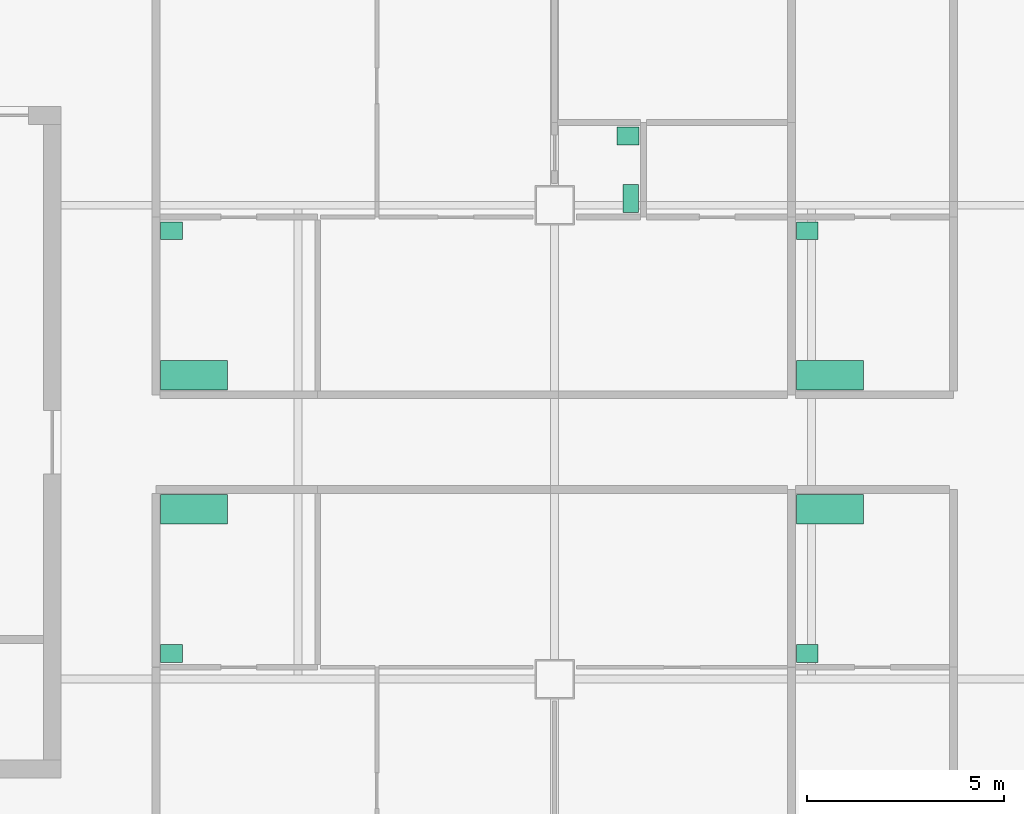
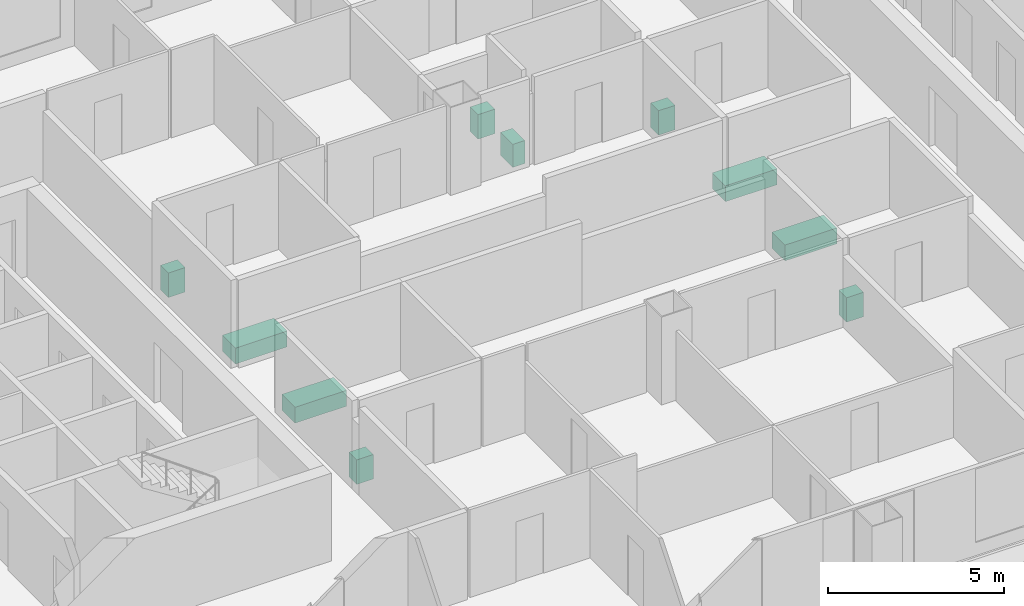
# One storey, part 8 of 8: 10 sanitary terminals.
"""IFC4 building model written with IfcOpenShell, lengths in metres."""

from ifc_helpers import new_model, si_unit, direction, frame, origin, origin_2d, place, context, subcontext, project, spatial, rectangle, extrude, material, type_object, element, save


model = new_model("IFC4")

# Units and contexts
model_context = context("Model", 3, precision=1e-05, world=origin(), true_north=direction((0.0, 1.0)))
body_context = subcontext(model_context, "Body", "Model", "MODEL_VIEW")
ifc_project = project(units=[si_unit("LENGTHUNIT", "METRE"), si_unit("AREAUNIT", "SQUARE_METRE"), si_unit("VOLUMEUNIT", "CUBIC_METRE"), si_unit("PLANEANGLEUNIT", "RADIAN"), si_unit("MASSUNIT", "GRAM", prefix="KILO")], contexts=[model_context])

# Site, building, storey
site_placement = place(None, origin())
site = spatial("IfcSite", under=ifc_project, at=site_placement, CompositionType="ELEMENT")
building_placement = place(site_placement, origin())
building = spatial("IfcBuilding", under=site, at=building_placement, Name="Kitamizu Gate Tower and Museum", CompositionType="ELEMENT")
storey_placement = place(building_placement, frame((0.0, 0.0, 262.800048828125)))
storey = spatial("IfcBuildingStorey", under=building, at=storey_placement, Name="L71", CompositionType="ELEMENT", Elevation=262.800048828125)

# Sanitary terminals
ifc_material_1 = material(Name="Acrylic")
sanitary_terminal_type_1 = type_object("IfcSanitaryTerminalType", Name="Bath", PredefinedType="BATH", material=ifc_material_1)
for number, where, z_axis, x_axis, name in (
    (1, (26.8701171875, 28.304931640625, 0.0009765625), (0.0, 0.0, 1.0), (1.0, 0.0, 0.0), "Bath Bathroom and WC 71A"),
    (2, (26.8701171875, 31.695068359375, 0.0009765625), (0.0, 0.0, 1.0), (1.0, 0.0, 0.0), "Bath Bathroom 71B"),
    (3, (42.969970703125, 28.304931640625, 0.0009765625), (0.0, 0.0, 1.0), (1.0, 0.0, 0.0), "Bath Bathroom and WC 71C"),
    (4, (42.969970703125, 31.695068359375, 0.0009765625), (0.0, 0.0, 1.0), (1.0, 0.0, 0.0), "Bath Bathroom and WC 71D"),
):
    element("IfcSanitaryTerminal", number, at=place(storey_placement, frame(where, z_axis=z_axis, x_axis=x_axis)), inside=storey, type_object=sanitary_terminal_type_1, Name=name, PredefinedType="BATH", context=body_context, shape_type="SweptSolid", body=[
        extrude(rectangle(XDim=1.699951171875, YDim=0.75, at=origin_2d()), origin(), (0.0, 0.0, 1.0), 0.550048828125),
    ])
ifc_material_2 = material(Name="Vitreous china")
sanitary_terminal_type_2 = type_object("IfcSanitaryTerminalType", Name="Wash hand basin", PredefinedType="WASHHANDBASIN", material=ifc_material_2)
for number, where, z_axis, x_axis, name in (
    (5, (26.294921875, 24.64501953125, 0.0009765625), (0.0, 0.0, 1.0), (1.0, 0.0, 0.0), "Wash hand basin Bathroom and WC 71A"),
    (6, (37.85498046875, 37.7548828125, 0.0009765625), (0.0, 0.0, 1.0), (1.0, 0.0, 0.0), "Wash hand basin WC 71B"),
    (7, (26.294921875, 35.35498046875, 0.0009765625), (0.0, 0.0, 1.0), (1.0, 0.0, 0.0), "Wash hand basin Bathroom 71B"),
    (8, (42.39501953125, 24.64501953125, 0.0009765625), (0.0, 0.0, 1.0), (1.0, 0.0, 0.0), "Wash hand basin Bathroom and WC 71C"),
    (9, (42.39501953125, 35.35498046875, 0.0009765625), (0.0, 0.0, 1.0), (1.0, 0.0, 0.0), "Wash hand basin Bathroom and WC 71D"),
):
    element("IfcSanitaryTerminal", number, at=place(storey_placement, frame(where, z_axis=z_axis, x_axis=x_axis)), inside=storey, type_object=sanitary_terminal_type_2, Name=name, PredefinedType="WASHHANDBASIN", context=body_context, shape_type="SweptSolid", body=[
        extrude(rectangle(XDim=0.550048828125, YDim=0.449951171875, at=origin_2d()), origin(), (0.0, 0.0, 1.0), 0.85009765625),
    ])
ifc_material_3 = material(Name="Vitreous china")
sanitary_terminal_type_3 = type_object("IfcSanitaryTerminalType", Name="Water closet", PredefinedType="TOILETPAN", material=ifc_material_3)
sanitary_terminal_placement = place(storey_placement, frame((37.929931640625, 36.169921875, 0.0009765625), z_axis=(0.0, 0.0, 1.0), x_axis=(1.0, 0.0, 0.0)))
element("IfcSanitaryTerminal", 10, at=sanitary_terminal_placement, inside=storey, type_object=sanitary_terminal_type_3, Name="Water closet WC 71B", PredefinedType="TOILETPAN", context=body_context, shape_type="SweptSolid", body=[
    extrude(rectangle(XDim=0.39990234375, YDim=0.699951171875, at=origin_2d()), origin(), (0.0, 0.0, 1.0), 0.800048828125),
])

save(model, "model.ifc")
